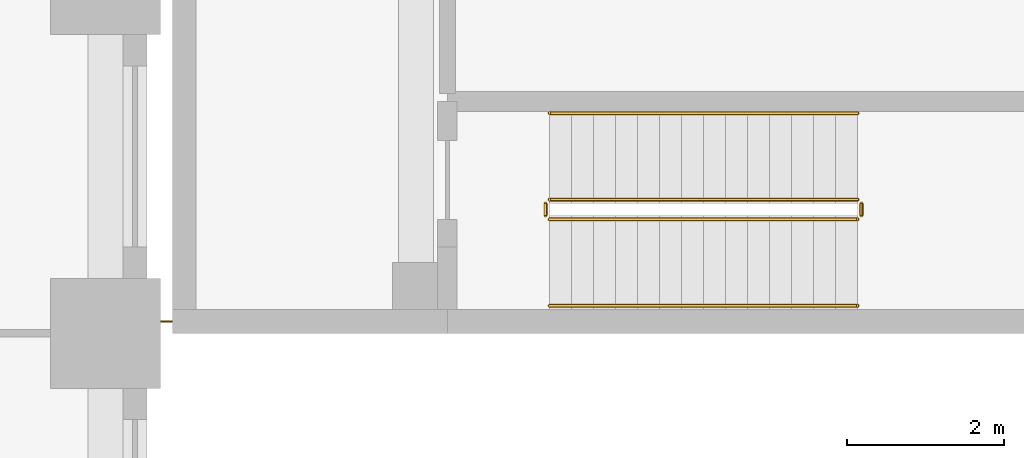
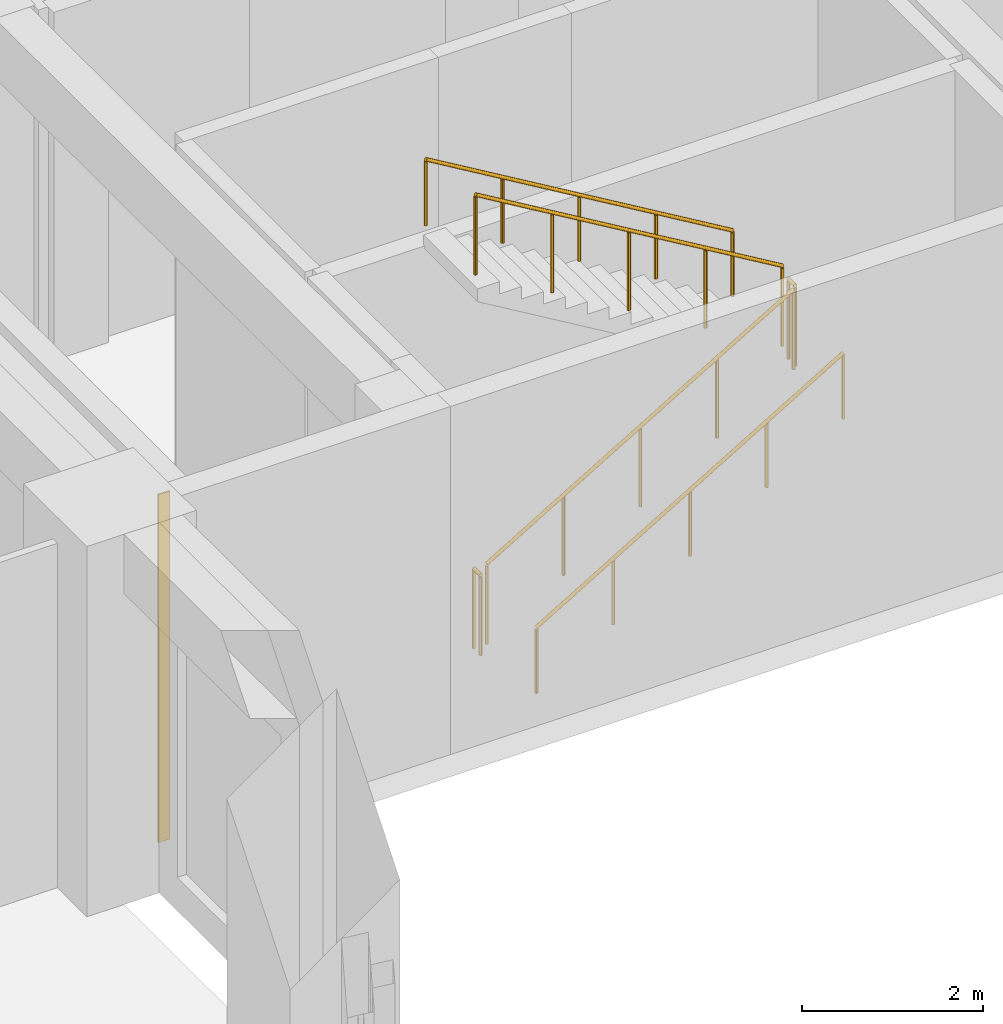
# One storey, part 19 of 24: 6 railings, 1 covering.
"""IFC4 building model written with IfcOpenShell, lengths in metres."""

from ifc_helpers import new_model, si_unit, direction, frame, origin, origin_2d, place, context, subcontext, project, spatial, rectangle, circle, extrude, material, layer, layer_set, type_object, element, save


model = new_model("IFC4")

# Units and contexts
model_context = context("Model", 3, precision=1e-05, world=origin(), true_north=direction((0.0, 1.0)))
body_context = subcontext(model_context, "Body", "Model", "MODEL_VIEW")
ifc_project = project(units=[si_unit("LENGTHUNIT", "METRE"), si_unit("AREAUNIT", "SQUARE_METRE"), si_unit("VOLUMEUNIT", "CUBIC_METRE"), si_unit("PLANEANGLEUNIT", "RADIAN"), si_unit("MASSUNIT", "GRAM", prefix="KILO")], contexts=[model_context])

# Site, building, storey
site_placement = place(None, origin())
site = spatial("IfcSite", under=ifc_project, at=site_placement, CompositionType="ELEMENT")
building_placement = place(site_placement, origin())
building = spatial("IfcBuilding", under=site, at=building_placement, Name="Girih Gate Residences", CompositionType="ELEMENT")
storey_placement = place(building_placement, frame((0.0, 0.0, 11.0)))
storey = spatial("IfcBuildingStorey", under=building, at=storey_placement, Name="L02", CompositionType="ELEMENT", Elevation=11.0)

# Railings
ifc_material_1 = material(Name="Stainless steel railing", Category="steel")
railing_type_1 = type_object("IfcRailingType", Name="HC Guard 1100", PredefinedType="GUARDRAIL", material=ifc_material_1)
railing_1_placement = place(storey_placement, frame((55.14990234375, 10.449951171875, 0.166748046875)))
element("IfcRailing", 1, at=railing_1_placement, inside=storey, type_object=railing_type_1, Name="L02 HC-STA stair guard 1", PredefinedType="GUARDRAIL", context=body_context, shape_type="SweptSolid", body=[
    extrude(circle(Radius=0.02392578125, at=origin_2d()), frame((0.0, 0.0, 1.076171875), z_axis=(0.859310244771, 0.0, 0.511454693235), x_axis=(0.0, 1.0, 0.0)), (0.0, 0.0, 1.0), 4.56201171875),
    extrude(circle(Radius=0.02099609375, at=origin_2d()), origin(), (0.0, 0.0, 1.0), 1.052001953125),
    extrude(circle(Radius=0.02099609375, at=origin_2d()), frame((0.97998046875, 0.0, 0.583251953125)), (0.0, 0.0, 1.0), 1.052001953125),
    extrude(circle(Radius=0.02099609375, at=origin_2d()), frame((1.9599609375, 0.0, 1.16650390625)), (0.0, 0.0, 1.0), 1.052001953125),
    extrude(circle(Radius=0.02099609375, at=origin_2d()), frame((2.940185546875, 0.0, 1.75)), (0.0, 0.0, 1.0), 1.052001953125),
    extrude(circle(Radius=0.02099609375, at=origin_2d()), frame((3.920166015625, 0.0, 2.333251953125)), (0.0, 0.0, 1.0), 1.052001953125),
])
railing_2_placement = place(storey_placement, frame((59.1201171875, 10.5, 2.5)))
element("IfcRailing", 2, at=railing_2_placement, inside=storey, type_object=railing_type_1, Name="L02 HC-STA stair guard 2", PredefinedType="GUARDRAIL", context=body_context, shape_type="SweptSolid", body=[
    extrude(circle(Radius=0.02392578125, at=origin_2d()), frame((0.0, 0.0, 1.076171875), z_axis=(0.0, 1.0, 0.0), x_axis=(-1.0, 0.0, 0.0)), (0.0, 0.0, 1.0), 0.14990234375),
    extrude(circle(Radius=0.02099609375, at=origin_2d()), origin(), (0.0, 0.0, 1.0), 1.052001953125),
    extrude(circle(Radius=0.02099609375, at=origin_2d()), frame((0.0, 0.14990234375, 0.0)), (0.0, 0.0, 1.0), 1.052001953125),
])
railing_3_placement = place(storey_placement, frame((59.070068359375, 10.699951171875, 2.666748046875)))
element("IfcRailing", 3, at=railing_3_placement, inside=storey, type_object=railing_type_1, Name="L02 HC-STA stair guard 3", PredefinedType="GUARDRAIL", context=body_context, shape_type="SweptSolid", body=[
    extrude(circle(Radius=0.02392578125, at=origin_2d()), frame((0.0, 0.0, 1.076171875), z_axis=(-0.859310244771, 0.0, 0.511454693235), x_axis=(0.0, -1.0, 0.0)), (0.0, 0.0, 1.0), 4.56201171875),
    extrude(circle(Radius=0.02099609375, at=origin_2d()), origin(), (0.0, 0.0, 1.0), 1.052001953125),
    extrude(circle(Radius=0.02099609375, at=origin_2d()), frame((-0.97998046875, 0.0, 0.583251953125)), (0.0, 0.0, 1.0), 1.052001953125),
    extrude(circle(Radius=0.02099609375, at=origin_2d()), frame((-1.9599609375, 0.0, 1.16650390625)), (0.0, 0.0, 1.0), 1.052001953125),
    extrude(circle(Radius=0.02099609375, at=origin_2d()), frame((-2.940185546875, 0.0, 1.75)), (0.0, 0.0, 1.0), 1.052001953125),
    extrude(circle(Radius=0.02099609375, at=origin_2d()), frame((-3.920166015625, 0.0, 2.333251953125)), (0.0, 0.0, 1.0), 1.052001953125),
])
railing_4_placement = place(storey_placement, frame((55.10009765625, 10.5, 0.0)))
element("IfcRailing", 4, at=railing_4_placement, inside=storey, type_object=railing_type_1, Name="L02 HC-STA stair guard 4", PredefinedType="GUARDRAIL", context=body_context, shape_type="SweptSolid", body=[
    extrude(circle(Radius=0.02392578125, at=origin_2d()), frame((0.0, 0.0, 1.076171875), z_axis=(0.0, 1.0, 0.0), x_axis=(-1.0, 0.0, 0.0)), (0.0, 0.0, 1.0), 0.14990234375),
    extrude(circle(Radius=0.02099609375, at=origin_2d()), origin(), (0.0, 0.0, 1.0), 1.052001953125),
    extrude(circle(Radius=0.02099609375, at=origin_2d()), frame((0.0, 0.14990234375, 0.0)), (0.0, 0.0, 1.0), 1.052001953125),
])
railing_type_2 = type_object("IfcRailingType", Name="HC Handrail 900", PredefinedType="HANDRAIL", material=ifc_material_1)
railing_5_placement = place(storey_placement, frame((55.14990234375, 9.35009765625, 0.166748046875)))
element("IfcRailing", 5, at=railing_5_placement, inside=storey, type_object=railing_type_2, Name="L02 HC-STA stair handrail 1", PredefinedType="HANDRAIL", context=body_context, shape_type="SweptSolid", body=[
    extrude(circle(Radius=0.02392578125, at=origin_2d()), frame((0.0, 0.0, 0.8857421875), z_axis=(0.859310244771, 0.0, 0.511454693235), x_axis=(0.0, 1.0, 0.0)), (0.0, 0.0, 1.0), 4.56201171875),
    extrude(circle(Radius=0.02099609375, at=origin_2d()), origin(), (0.0, 0.0, 1.0), 0.86181640625),
    extrude(circle(Radius=0.02099609375, at=origin_2d()), frame((0.97998046875, 0.0, 0.583251953125)), (0.0, 0.0, 1.0), 0.86181640625),
    extrude(circle(Radius=0.02099609375, at=origin_2d()), frame((1.9599609375, 0.0, 1.16650390625)), (0.0, 0.0, 1.0), 0.86181640625),
    extrude(circle(Radius=0.02099609375, at=origin_2d()), frame((2.940185546875, 0.0, 1.75)), (0.0, 0.0, 1.0), 0.86181640625),
    extrude(circle(Radius=0.02099609375, at=origin_2d()), frame((3.920166015625, 0.0, 2.333251953125)), (0.0, 0.0, 1.0), 0.86181640625),
])
railing_6_placement = place(storey_placement, frame((59.070068359375, 11.800048828125, 2.666748046875)))
element("IfcRailing", 6, at=railing_6_placement, inside=storey, type_object=railing_type_2, Name="L02 HC-STA stair handrail 2", PredefinedType="HANDRAIL", context=body_context, shape_type="SweptSolid", body=[
    extrude(circle(Radius=0.02392578125, at=origin_2d()), frame((0.0, 0.0, 0.8857421875), z_axis=(-0.859310244771, 0.0, 0.511454693235), x_axis=(0.0, -1.0, 0.0)), (0.0, 0.0, 1.0), 4.56201171875),
    extrude(circle(Radius=0.02099609375, at=origin_2d()), origin(), (0.0, 0.0, 1.0), 0.86181640625),
    extrude(circle(Radius=0.02099609375, at=origin_2d()), frame((-0.97998046875, 0.0, 0.583251953125)), (0.0, 0.0, 1.0), 0.86181640625),
    extrude(circle(Radius=0.02099609375, at=origin_2d()), frame((-1.9599609375, 0.0, 1.16650390625)), (0.0, 0.0, 1.0), 0.86181640625),
    extrude(circle(Radius=0.02099609375, at=origin_2d()), frame((-2.940185546875, 0.0, 1.75)), (0.0, 0.0, 1.0), 0.86181640625),
    extrude(circle(Radius=0.02099609375, at=origin_2d()), frame((-3.920166015625, 0.0, 2.333251953125)), (0.0, 0.0, 1.0), 0.86181640625),
])

# Covering
ifc_material_2 = material(Name="Stainless steel cover plate", Category="steel")
ifc_layer = layer(ifc_material_2, 0.02001953125)
ifc_layer_set = layer_set([ifc_layer], Name="HC Movement joint cover plate")
covering_type = type_object("IfcCoveringType", Name="HC Movement joint cover plate", PredefinedType="CLADDING", material=ifc_layer_set)
covering_placement = place(storey_placement, frame((50.27490234375, 9.14990234375, 0.0), z_axis=(0.0, 0.0, 1.0), x_axis=(1.0, 0.0, 0.0)))
element("IfcCovering", 7, at=covering_placement, inside=storey, type_object=covering_type, Name="L02 joint between tower and health centre cover plate 1", PredefinedType="CLADDING", context=body_context, shape_type="SweptSolid", body=[
    extrude(rectangle(XDim=0.14990234375, YDim=0.02001953125, at=origin_2d()), origin(), (0.0, 0.0, 1.0), 4.699951171875),
])

save(model, "model.ifc")
